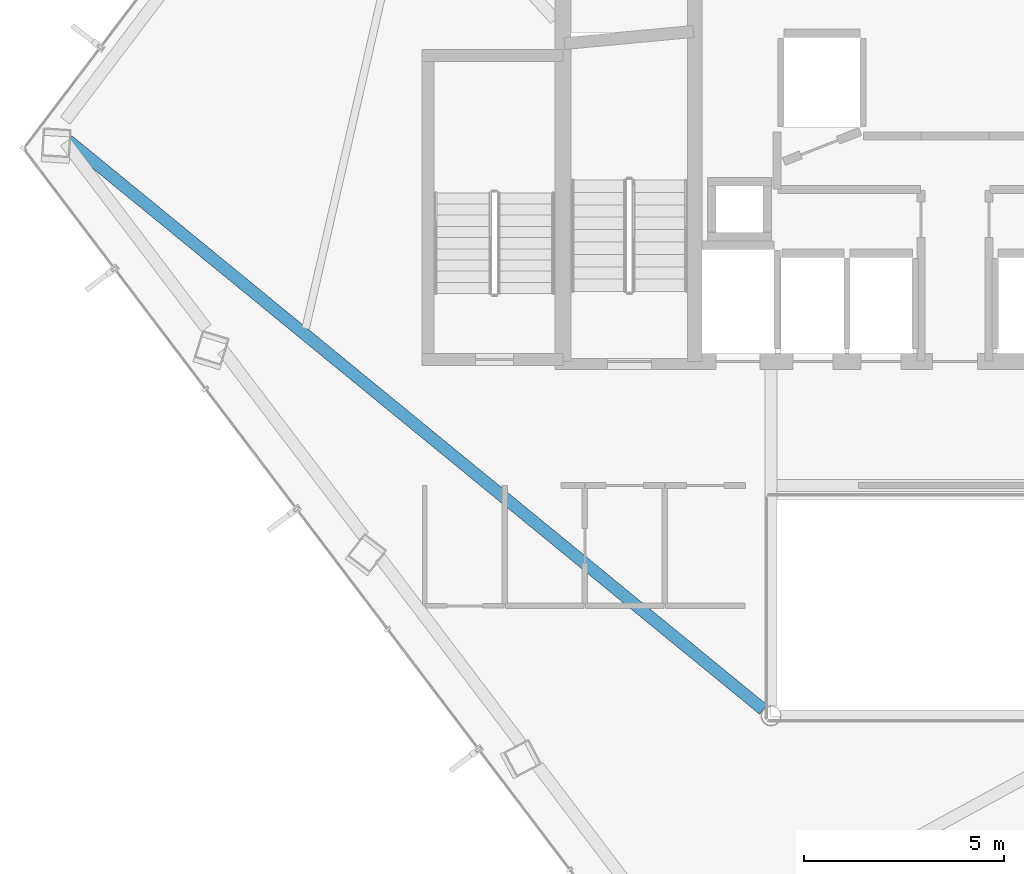
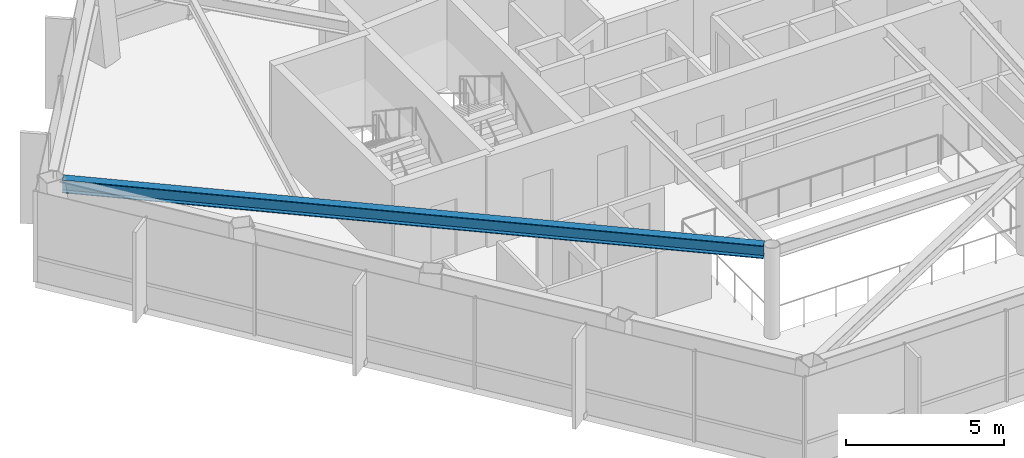
# One storey, part 5 of 27: 1 beam.
"""IFC4 building model written with IfcOpenShell, lengths in metres."""

from ifc_helpers import new_model, si_unit, direction, frame, origin, origin_2d, place, context, subcontext, project, spatial, i_section, extrude, material, material_profile, profile_set, type_object, element, save


model = new_model("IFC4")

# Units and contexts
model_context = context("Model", 3, precision=1e-05, world=origin(), true_north=direction((0.0, 1.0)))
body_context = subcontext(model_context, "Body", "Model", "MODEL_VIEW")
ifc_project = project(units=[si_unit("LENGTHUNIT", "METRE"), si_unit("AREAUNIT", "SQUARE_METRE"), si_unit("VOLUMEUNIT", "CUBIC_METRE"), si_unit("PLANEANGLEUNIT", "RADIAN"), si_unit("MASSUNIT", "GRAM", prefix="KILO")], contexts=[model_context])

# Site, building, storey
site_placement = place(None, origin())
site = spatial("IfcSite", under=ifc_project, at=site_placement, CompositionType="ELEMENT")
building_placement = place(site_placement, origin())
building = spatial("IfcBuilding", under=site, at=building_placement, Name="Zarrinselat Tower", CompositionType="ELEMENT")
storey_placement = place(building_placement, frame((0.0, 0.0, 183.260009765625)))
storey = spatial("IfcBuildingStorey", under=building, at=storey_placement, Name="L45", CompositionType="ELEMENT", Elevation=183.260009765625)

# Beam
ifc_material = material(Name="Steel S355J2", Category="steel")
ifc_material_profile = material_profile(ifc_material, i_section(OverallWidth=0.300048828125, OverallDepth=0.5, WebThickness=0.014404296875, FlangeThickness=0.028076171875, at=origin_2d()), Name="HEB 500")
ifc_profile_set = profile_set([ifc_material_profile], Name="Steel S355J2")
beam_type = type_object("IfcBeamType", Name="BM-HEB500", PredefinedType="BEAM", material=ifc_profile_set)
beam_placement = place(storey_placement, frame((16.23486328125, 38.77978515625, 3.25), z_axis=(0.773779938017, -0.633454503119, 0.0), x_axis=(0.633454503119, 0.773779938017, 0.0)))
element("IfcBeam", 1, at=beam_placement, inside=storey, type_object=beam_type, Name="L45 Radial Primary Girder RG06", PredefinedType="BEAM", context=body_context, shape_type="SweptSolid", body=[
    extrude(i_section(OverallWidth=0.300048828125, OverallDepth=0.5, WebThickness=0.014404296875, FlangeThickness=0.028076171875, at=origin_2d()), origin(), (0.0, 0.0, 1.0), 22.45068359375),
])

save(model, "model.ifc")
